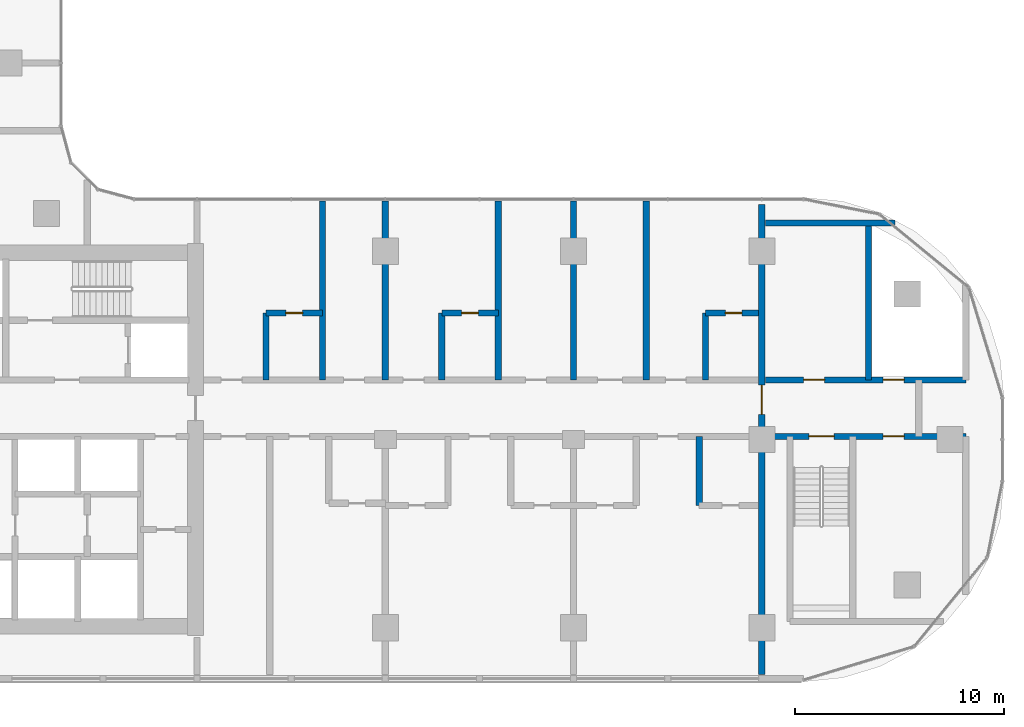
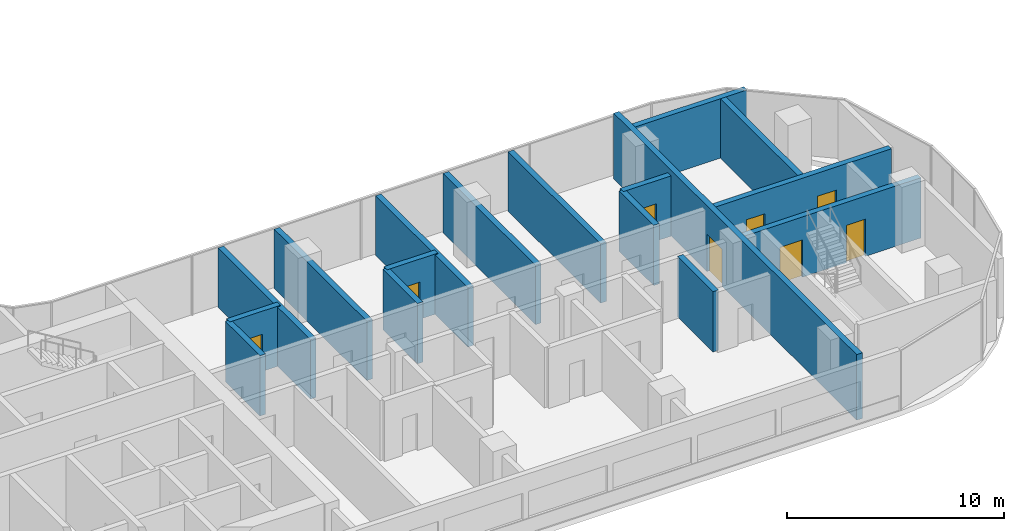
# One storey, part 13 of 23: 17 walls, 8 doors, 8 openings.
"""IFC4 building model written with IfcOpenShell, lengths in metres."""

from ifc_helpers import new_model, si_unit, direction, frame, frame_2d, origin, place, context, subcontext, project, spatial, rectangle, extrude, material, layer, layer_set, type_object, element, fill, save


model = new_model("IFC4")

# Units and contexts
model_context = context("Model", 3, precision=1e-05, world=origin(), true_north=direction((0.0, 1.0)))
body_context = subcontext(model_context, "Body", "Model", "MODEL_VIEW")
ifc_project = project(units=[si_unit("LENGTHUNIT", "METRE"), si_unit("AREAUNIT", "SQUARE_METRE"), si_unit("VOLUMEUNIT", "CUBIC_METRE"), si_unit("PLANEANGLEUNIT", "RADIAN"), si_unit("MASSUNIT", "GRAM", prefix="KILO")], contexts=[model_context])

# Site, building, storey
site_placement = place(None, origin())
site = spatial("IfcSite", under=ifc_project, at=site_placement, CompositionType="ELEMENT")
building_placement = place(site_placement, origin())
building = spatial("IfcBuilding", under=site, at=building_placement, Name="Ogive Portal Towers", CompositionType="ELEMENT")
storey_placement = place(building_placement, frame((0.0, 0.0, 120.39990234375)))
storey = spatial("IfcBuildingStorey", under=building, at=storey_placement, Name="L29", CompositionType="ELEMENT", Elevation=120.39990234375)

# Wall, opening, door
ifc_material_1 = material(Name="Concrete C60/75", Category="concrete")
ifc_layer_1 = layer(ifc_material_1, 0.300048828125)
ifc_layer_set_1 = layer_set([ifc_layer_1], Name="REVEAL WALL 300 C60")
wall_type_1 = type_object("IfcWallType", Name="REVEAL WALL 300 C60", PredefinedType="SHEAR", material=ifc_layer_set_1)
wall_1_placement = place(storey_placement, frame((85.5, 19.27490234375, 0.0), z_axis=(0.0, 0.0, 1.0), x_axis=(0.0, 1.0, 0.0)))
wall_1 = element("IfcWall", 1, at=wall_1_placement, inside=storey, type_object=wall_type_1, Name="Portal reveal wall L29", PredefinedType="SHEAR", context=body_context, shape_type="SweptSolid", body=[
    extrude(rectangle(XDim=22.4501953125, YDim=0.300048828125, at=frame_2d((11.22509765625, 0.0))), origin(), (0.0, 0.0, 1.0), 3.7001953125),
])
opening_1_placement = place(wall_1_placement, frame((12.425048828125, 0.0, 0.0)))
opening_1 = element("IfcOpeningElement", 2, at=opening_1_placement, cuts=wall_1, Name="Opening D10-067", PredefinedType="OPENING", context=body_context, shape_type="SweptSolid", body=[
    extrude(rectangle(XDim=1.39990234375, YDim=2.10009765625, at=frame_2d((0.699951171875, 1.050048828125))), frame((0.0, 0.16015625, 0.0), z_axis=(0.0, -1.0, 0.0), x_axis=(1.0, 0.0, 0.0)), (0.0, 0.0, 1.0), 0.320068359375),
])
ifc_material_2 = material(Name="Steel fire door", Category="steel")
door_type_1 = type_object("IfcDoorType", Name="DT-STAIR-1400x2100-FD90S", OperationType="SINGLE_SWING_LEFT", PredefinedType="DOOR", material=ifc_material_2)
door_1_placement = place(opening_1_placement, origin())
door_1 = element("IfcDoor", 3, at=door_1_placement, inside=storey, type_object=door_type_1, Name="Door D10-067", OperationType="SINGLE_SWING_RIGHT", OverallHeight=2.10009765625, OverallWidth=1.39990234375, PredefinedType="DOOR", context=body_context, shape_type="SweptSolid", body=[
    extrude(rectangle(XDim=1.39990234375, YDim=2.10009765625, at=frame_2d((0.699951171875, 1.050048828125))), frame((0.0, 0.02490234375, 0.0), z_axis=(0.0, -1.0, 0.0), x_axis=(1.0, 0.0, 0.0)), (0.0, 0.0, 1.0), 0.050048828125),
])
fill(opening_1, door_1)

# Wall, openings, doors
ifc_material_3 = material(Name="Concrete C50/60", Category="concrete")
ifc_layer_2 = layer(ifc_material_3, 0.300048828125)
ifc_layer_set_2 = layer_set([ifc_layer_2], Name="STAIR WALL 300 C50")
wall_type_2 = type_object("IfcWallType", Name="STAIR WALL 300 C50", PredefinedType="SHEAR", material=ifc_layer_set_2)
wall_2_placement = place(storey_placement, frame((85.669921875, 30.64990234375, 0.0), z_axis=(0.0, 0.0, 1.0), x_axis=(1.0, 0.0, 0.0)))
wall_2 = element("IfcWall", 4, at=wall_2_placement, inside=storey, type_object=wall_type_2, Name="Stair wall ST-A4 L29", PredefinedType="SHEAR", context=body_context, shape_type="SweptSolid", body=[
    extrude(rectangle(XDim=9.580078125, YDim=0.300048828125, at=frame_2d((4.7900390625, 0.0))), origin(), (0.0, 0.0, 1.0), 3.400146484375),
])
opening_2_placement = place(wall_2_placement, frame((2.080078125, 0.0, 0.0)))
opening_2 = element("IfcOpeningElement", 5, at=opening_2_placement, cuts=wall_2, Name="Opening D10-062", PredefinedType="OPENING", context=body_context, shape_type="SweptSolid", body=[
    extrude(rectangle(XDim=1.199951171875, YDim=2.10009765625, at=frame_2d((0.60009765625, 1.050048828125))), frame((0.0, 0.16015625, 0.0), z_axis=(0.0, -1.0, 0.0), x_axis=(1.0, 0.0, 0.0)), (0.0, 0.0, 1.0), 0.320068359375),
])
opening_3_placement = place(wall_2_placement, frame((5.6298828125, 0.0, 0.0)))
opening_3 = element("IfcOpeningElement", 6, at=opening_3_placement, cuts=wall_2, Name="Opening D10-065", PredefinedType="OPENING", context=body_context, shape_type="SweptSolid", body=[
    extrude(rectangle(XDim=1.0, YDim=2.10009765625, at=frame_2d((0.5, 1.050048828125))), frame((0.0, 0.16015625, 0.0), z_axis=(0.0, -1.0, 0.0), x_axis=(1.0, 0.0, 0.0)), (0.0, 0.0, 1.0), 0.320068359375),
])
door_type_2 = type_object("IfcDoorType", Name="DT-SERVICE-1000x2100-FD90S", OperationType="SINGLE_SWING_LEFT", PredefinedType="DOOR", material=ifc_material_2)
door_2_placement = place(opening_3_placement, origin())
door_2 = element("IfcDoor", 7, at=door_2_placement, inside=storey, type_object=door_type_2, Name="Door D10-065", OperationType="SINGLE_SWING_LEFT", OverallHeight=2.10009765625, OverallWidth=1.0, PredefinedType="DOOR", context=body_context, shape_type="SweptSolid", body=[
    extrude(rectangle(XDim=1.0, YDim=2.10009765625, at=frame_2d((0.5, 1.050048828125))), frame((0.0, 0.02490234375, 0.0), z_axis=(0.0, -1.0, 0.0), x_axis=(1.0, 0.0, 0.0)), (0.0, 0.0, 1.0), 0.050048828125),
])
fill(opening_3, door_2)
door_type_3 = type_object("IfcDoorType", Name="DT-STAIR-1200x2100-FD90S", OperationType="SINGLE_SWING_LEFT", PredefinedType="DOOR", material=ifc_material_2)
door_3_placement = place(opening_2_placement, origin())
door_3 = element("IfcDoor", 8, at=door_3_placement, inside=storey, type_object=door_type_3, Name="Door D10-062", OperationType="SINGLE_SWING_LEFT", OverallHeight=2.10009765625, OverallWidth=1.199951171875, PredefinedType="DOOR", context=body_context, shape_type="SweptSolid", body=[
    extrude(rectangle(XDim=1.199951171875, YDim=2.10009765625, at=frame_2d((0.60009765625, 1.050048828125))), frame((0.0, 0.02490234375, 0.0), z_axis=(0.0, -1.0, 0.0), x_axis=(1.0, 0.0, 0.0)), (0.0, 0.0, 1.0), 0.050048828125),
])
fill(opening_2, door_3)

ifc_material_4 = material(Name="Gypsum board partition on steel studs", Category="steel")
ifc_layer_3 = layer(ifc_material_4, 0.300048828125)
ifc_layer_set_3 = layer_set([ifc_layer_3], Name="WT-PART-300-EI 120")
wall_type_3 = type_object("IfcWallType", Name="WT-PART-300-EI 120", PredefinedType="PARTITIONING", material=ifc_layer_set_3)
wall_3_placement = place(storey_placement, frame((85.669921875, 33.35009765625, 0.0), z_axis=(0.0, 0.0, 1.0), x_axis=(1.0, 0.0, 0.0)))
wall_3 = element("IfcWall", 9, at=wall_3_placement, inside=storey, type_object=wall_type_3, Name="Wall L29:w009", PredefinedType="PARTITIONING", context=body_context, shape_type="SweptSolid", body=[
    extrude(rectangle(XDim=9.580078125, YDim=0.300048828125, at=frame_2d((4.7900390625, 0.0))), origin(), (0.0, 0.0, 1.0), 3.400146484375),
])
opening_4_placement = place(wall_3_placement, frame((1.830078125, 0.0, 0.0)))
opening_4 = element("IfcOpeningElement", 10, at=opening_4_placement, cuts=wall_3, Name="Opening D10-063", PredefinedType="OPENING", context=body_context, shape_type="SweptSolid", body=[
    extrude(rectangle(XDim=1.0, YDim=2.10009765625, at=frame_2d((0.5, 1.050048828125))), frame((0.0, 0.16015625, 0.0), z_axis=(0.0, -1.0, 0.0), x_axis=(1.0, 0.0, 0.0)), (0.0, 0.0, 1.0), 0.320068359375),
])
opening_5_placement = place(wall_3_placement, frame((5.6298828125, 0.0, 0.0)))
opening_5 = element("IfcOpeningElement", 11, at=opening_5_placement, cuts=wall_3, Name="Opening D10-064", PredefinedType="OPENING", context=body_context, shape_type="SweptSolid", body=[
    extrude(rectangle(XDim=1.0, YDim=2.10009765625, at=frame_2d((0.5, 1.050048828125))), frame((0.0, 0.16015625, 0.0), z_axis=(0.0, -1.0, 0.0), x_axis=(1.0, 0.0, 0.0)), (0.0, 0.0, 1.0), 0.320068359375),
])
door_4_placement = place(opening_4_placement, origin())
door_4 = element("IfcDoor", 12, at=door_4_placement, inside=storey, type_object=door_type_2, Name="Door D10-063", OperationType="SINGLE_SWING_LEFT", OverallHeight=2.10009765625, OverallWidth=1.0, PredefinedType="DOOR", context=body_context, shape_type="SweptSolid", body=[
    extrude(rectangle(XDim=1.0, YDim=2.10009765625, at=frame_2d((0.5, 1.050048828125))), frame((0.0, 0.02490234375, 0.0), z_axis=(0.0, -1.0, 0.0), x_axis=(1.0, 0.0, 0.0)), (0.0, 0.0, 1.0), 0.050048828125),
])
fill(opening_4, door_4)
door_5_placement = place(opening_5_placement, origin())
door_5 = element("IfcDoor", 13, at=door_5_placement, inside=storey, type_object=door_type_2, Name="Riser access door D10-064", OperationType="SINGLE_SWING_RIGHT", OverallHeight=2.10009765625, OverallWidth=1.0, PredefinedType="DOOR", context=body_context, shape_type="SweptSolid", body=[
    extrude(rectangle(XDim=1.0, YDim=2.10009765625, at=frame_2d((0.5, 1.050048828125))), frame((0.0, 0.02490234375, 0.0), z_axis=(0.0, -1.0, 0.0), x_axis=(1.0, 0.0, 0.0)), (0.0, 0.0, 1.0), 0.050048828125),
])
fill(opening_5, door_5)

# Wall, opening, door
ifc_layer_4 = layer(ifc_material_4, 0.300048828125)
ifc_layer_set_4 = layer_set([ifc_layer_4], Name="WT-PART-300-EI 60")
wall_type_4 = type_object("IfcWallType", Name="WT-PART-300-EI 60", PredefinedType="PARTITIONING", material=ifc_layer_set_4)
wall_4_placement = place(storey_placement, frame((61.800048828125, 36.550048828125, 0.0), z_axis=(0.0, 0.0, 1.0), x_axis=(1.0, 0.0, 0.0)))
wall_4 = element("IfcWall", 14, at=wall_4_placement, inside=storey, type_object=wall_type_4, Name="Wall L29:w010", PredefinedType="PARTITIONING", context=body_context, shape_type="SweptSolid", body=[
    extrude(rectangle(XDim=2.699951171875, YDim=0.300048828125, at=frame_2d((1.35009765625, 0.0))), origin(), (0.0, 0.0, 1.0), 3.400146484375),
])
opening_6_placement = place(wall_4_placement, frame((0.949951171875, 0.0, 0.0)))
opening_6 = element("IfcOpeningElement", 15, at=opening_6_placement, cuts=wall_4, Name="Opening D10-026", PredefinedType="OPENING", context=body_context, shape_type="SweptSolid", body=[
    extrude(rectangle(XDim=0.800048828125, YDim=2.10009765625, at=frame_2d((0.39990234375, 1.050048828125))), frame((0.0, 0.16015625, 0.0), z_axis=(0.0, -1.0, 0.0), x_axis=(1.0, 0.0, 0.0)), (0.0, 0.0, 1.0), 0.320068359375),
])
door_type_4 = type_object("IfcDoorType", Name="DT-BATH-800x2100-FD60S", OperationType="SINGLE_SWING_LEFT", PredefinedType="DOOR", material=ifc_material_2)
door_6_placement = place(opening_6_placement, origin())
door_6 = element("IfcDoor", 16, at=door_6_placement, inside=storey, type_object=door_type_4, Name="Door D10-026", OperationType="SINGLE_SWING_LEFT", OverallHeight=2.10009765625, OverallWidth=0.800048828125, PredefinedType="DOOR", context=body_context, shape_type="SweptSolid", body=[
    extrude(rectangle(XDim=0.800048828125, YDim=2.10009765625, at=frame_2d((0.39990234375, 1.050048828125))), frame((0.0, 0.02490234375, 0.0), z_axis=(0.0, -1.0, 0.0), x_axis=(1.0, 0.0, 0.0)), (0.0, 0.0, 1.0), 0.050048828125),
])
fill(opening_6, door_6)

wall_5_placement = place(storey_placement, frame((70.199951171875, 36.550048828125, 0.0), z_axis=(0.0, 0.0, 1.0), x_axis=(1.0, 0.0, 0.0)))
wall_5 = element("IfcWall", 17, at=wall_5_placement, inside=storey, type_object=wall_type_4, Name="Wall L29:w011", PredefinedType="PARTITIONING", context=body_context, shape_type="SweptSolid", body=[
    extrude(rectangle(XDim=2.699951171875, YDim=0.300048828125, at=frame_2d((1.35009765625, 0.0))), origin(), (0.0, 0.0, 1.0), 3.400146484375),
])
opening_7_placement = place(wall_5_placement, frame((0.949951171875, 0.0, 0.0)))
opening_7 = element("IfcOpeningElement", 18, at=opening_7_placement, cuts=wall_5, Name="Opening D10-032", PredefinedType="OPENING", context=body_context, shape_type="SweptSolid", body=[
    extrude(rectangle(XDim=0.800048828125, YDim=2.10009765625, at=frame_2d((0.39990234375, 1.050048828125))), frame((0.0, 0.16015625, 0.0), z_axis=(0.0, -1.0, 0.0), x_axis=(1.0, 0.0, 0.0)), (0.0, 0.0, 1.0), 0.320068359375),
])
door_7_placement = place(opening_7_placement, origin())
door_7 = element("IfcDoor", 19, at=door_7_placement, inside=storey, type_object=door_type_4, Name="Door D10-032", OperationType="SINGLE_SWING_LEFT", OverallHeight=2.10009765625, OverallWidth=0.800048828125, PredefinedType="DOOR", context=body_context, shape_type="SweptSolid", body=[
    extrude(rectangle(XDim=0.800048828125, YDim=2.10009765625, at=frame_2d((0.39990234375, 1.050048828125))), frame((0.0, 0.02490234375, 0.0), z_axis=(0.0, -1.0, 0.0), x_axis=(1.0, 0.0, 0.0)), (0.0, 0.0, 1.0), 0.050048828125),
])
fill(opening_7, door_7)

wall_6_placement = place(storey_placement, frame((82.800048828125, 36.550048828125, 0.0), z_axis=(0.0, 0.0, 1.0), x_axis=(1.0, 0.0, 0.0)))
wall_6 = element("IfcWall", 20, at=wall_6_placement, inside=storey, type_object=wall_type_4, Name="Wall L29:w012", PredefinedType="PARTITIONING", context=body_context, shape_type="SweptSolid", body=[
    extrude(rectangle(XDim=2.530029296875, YDim=0.300048828125, at=frame_2d((1.26513671875, 0.0))), origin(), (0.0, 0.0, 1.0), 3.400146484375),
])
opening_8_placement = place(wall_6_placement, frame((0.949951171875, 0.0, 0.0)))
opening_8 = element("IfcOpeningElement", 21, at=opening_8_placement, cuts=wall_6, Name="Opening D10-039", PredefinedType="OPENING", context=body_context, shape_type="SweptSolid", body=[
    extrude(rectangle(XDim=0.800048828125, YDim=2.10009765625, at=frame_2d((0.39990234375, 1.050048828125))), frame((0.0, 0.16015625, 0.0), z_axis=(0.0, -1.0, 0.0), x_axis=(1.0, 0.0, 0.0)), (0.0, 0.0, 1.0), 0.320068359375),
])
door_8_placement = place(opening_8_placement, origin())
door_8 = element("IfcDoor", 22, at=door_8_placement, inside=storey, type_object=door_type_4, Name="Door D10-039", OperationType="SINGLE_SWING_RIGHT", OverallHeight=2.10009765625, OverallWidth=0.800048828125, PredefinedType="DOOR", context=body_context, shape_type="SweptSolid", body=[
    extrude(rectangle(XDim=0.800048828125, YDim=2.10009765625, at=frame_2d((0.39990234375, 1.050048828125))), frame((0.0, 0.02490234375, 0.0), z_axis=(0.0, -1.0, 0.0), x_axis=(1.0, 0.0, 0.0)), (0.0, 0.0, 1.0), 0.050048828125),
])
fill(opening_8, door_8)

# Walls
wall_7_placement = place(storey_placement, frame((85.669921875, 40.85009765625, 0.0), z_axis=(0.0, 0.0, 1.0), x_axis=(1.0, 0.0, 0.0)))
element("IfcWall", 23, at=wall_7_placement, inside=storey, type_object=wall_type_4, Name="Wall L29:w014", PredefinedType="PARTITIONING", context=body_context, shape_type="SweptSolid", body=[
    extrude(rectangle(XDim=6.2001953125, YDim=0.300048828125, at=frame_2d((3.10009765625, 0.0))), origin(), (0.0, 0.0, 1.0), 3.35009765625),
])
wall_8_placement = place(storey_placement, frame((61.800048828125, 33.35009765625, 0.0), z_axis=(0.0, 0.0, 1.0), x_axis=(0.0, 1.0, 0.0)))
element("IfcWall", 24, at=wall_8_placement, inside=storey, type_object=wall_type_4, Name="Wall L29:w048", PredefinedType="PARTITIONING", context=body_context, shape_type="SweptSolid", body=[
    extrude(rectangle(XDim=3.199951171875, YDim=0.300048828125, at=frame_2d((1.60009765625, 0.0))), origin(), (0.0, 0.0, 1.0), 3.400146484375),
])
for number, where, z_axis, x_axis, name in (
    (25, (64.5, 33.35009765625, 0.0), (0.0, 0.0, 1.0), (0.0, 1.0, 0.0), "Wall L29:w050"),
    (26, (67.5, 33.35009765625, 0.0), (0.0, 0.0, 1.0), (0.0, 1.0, 0.0), "Wall L29:w053"),
):
    element("IfcWall", number, at=place(storey_placement, frame(where, z_axis=z_axis, x_axis=x_axis)), inside=storey, type_object=wall_type_4, Name=name, PredefinedType="PARTITIONING", context=body_context, shape_type="SweptSolid", body=[
        extrude(rectangle(XDim=8.554931640625, YDim=0.300048828125, at=frame_2d((4.27734375, 0.0))), origin(), (0.0, 0.0, 1.0), 3.35009765625),
    ])
wall_9_placement = place(storey_placement, frame((70.199951171875, 33.35009765625, 0.0), z_axis=(0.0, 0.0, 1.0), x_axis=(0.0, 1.0, 0.0)))
element("IfcWall", 27, at=wall_9_placement, inside=storey, type_object=wall_type_4, Name="Wall L29:w054", PredefinedType="PARTITIONING", context=body_context, shape_type="SweptSolid", body=[
    extrude(rectangle(XDim=3.199951171875, YDim=0.300048828125, at=frame_2d((1.60009765625, 0.0))), origin(), (0.0, 0.0, 1.0), 3.400146484375),
])
for number, where, z_axis, x_axis, name in (
    (28, (72.89990234375, 33.35009765625, 0.0), (0.0, 0.0, 1.0), (0.0, 1.0, 0.0), "Wall L29:w056"),
    (29, (76.5, 33.35009765625, 0.0), (0.0, 0.0, 1.0), (0.0, 1.0, 0.0), "Wall L29:w059"),
    (30, (79.969970703125, 33.35009765625, 0.0), (0.0, 0.0, 1.0), (0.0, 1.0, 0.0), "Wall L29:w061"),
):
    element("IfcWall", number, at=place(storey_placement, frame(where, z_axis=z_axis, x_axis=x_axis)), inside=storey, type_object=wall_type_4, Name=name, PredefinedType="PARTITIONING", context=body_context, shape_type="SweptSolid", body=[
        extrude(rectangle(XDim=8.554931640625, YDim=0.300048828125, at=frame_2d((4.27734375, 0.0))), origin(), (0.0, 0.0, 1.0), 3.35009765625),
    ])
wall_10_placement = place(storey_placement, frame((82.5, 27.35009765625, 0.0), z_axis=(0.0, 0.0, 1.0), x_axis=(0.0, 1.0, 0.0)))
element("IfcWall", 31, at=wall_10_placement, inside=storey, type_object=wall_type_4, Name="Wall L29:w062", PredefinedType="PARTITIONING", context=body_context, shape_type="SweptSolid", body=[
    extrude(rectangle(XDim=3.2998046875, YDim=0.300048828125, at=frame_2d((1.64990234375, 0.0))), origin(), (0.0, 0.0, 1.0), 3.400146484375),
])
wall_11_placement = place(storey_placement, frame((82.800048828125, 33.35009765625, 0.0), z_axis=(0.0, 0.0, 1.0), x_axis=(0.0, 1.0, 0.0)))
element("IfcWall", 32, at=wall_11_placement, inside=storey, type_object=wall_type_4, Name="Wall L29:w063", PredefinedType="PARTITIONING", context=body_context, shape_type="SweptSolid", body=[
    extrude(rectangle(XDim=3.199951171875, YDim=0.300048828125, at=frame_2d((1.60009765625, 0.0))), origin(), (0.0, 0.0, 1.0), 3.400146484375),
])
wall_12_placement = place(storey_placement, frame((90.60009765625, 33.35009765625, 0.0), z_axis=(0.0, 0.0, 1.0), x_axis=(0.0, 1.0, 0.0)))
element("IfcWall", 33, at=wall_12_placement, inside=storey, type_object=wall_type_4, Name="Wall L29:w066", PredefinedType="PARTITIONING", context=body_context, shape_type="SweptSolid", body=[
    extrude(rectangle(XDim=7.5, YDim=0.300048828125, at=frame_2d((3.75, 0.0))), origin(), (0.0, 0.0, 1.0), 3.35009765625),
])

save(model, "model.ifc")
